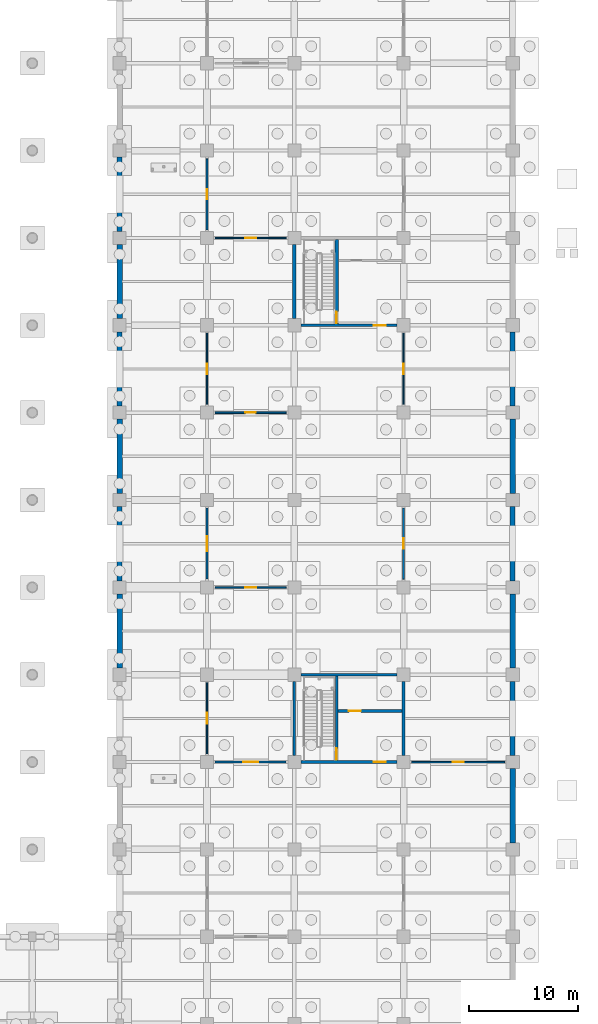
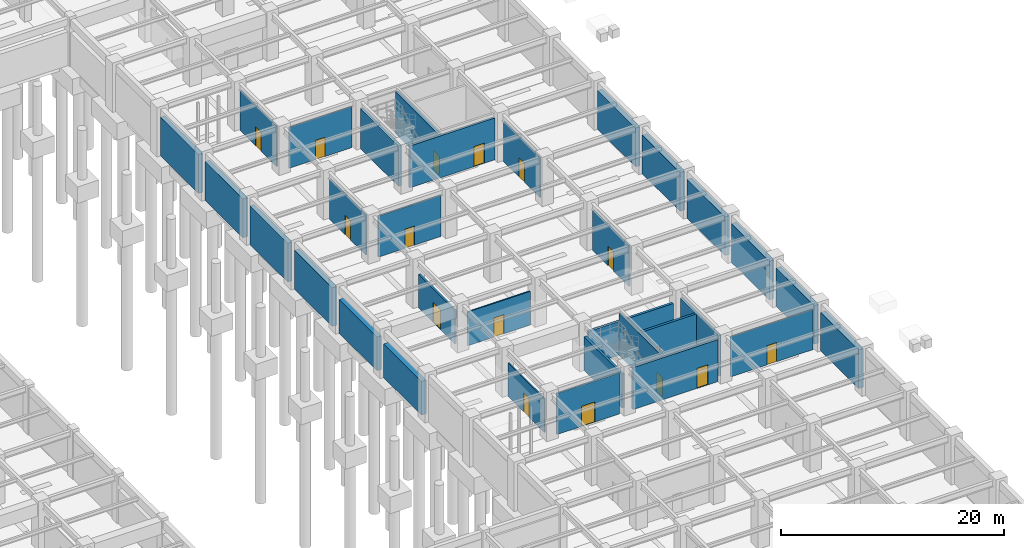
# One storey, part 77 of 97: 32 walls, 16 doors, 16 openings.
"""IFC4 building model written with IfcOpenShell, lengths in metres."""

from ifc_helpers import new_model, si_unit, direction, frame, frame_2d, origin, place, context, subcontext, project, spatial, rectangle, extrude, material, layer, layer_set, type_object, element, fill, save


model = new_model("IFC4")

# Units and contexts
model_context = context("Model", 3, precision=1e-05, world=origin(), true_north=direction((0.0, 1.0)))
body_context = subcontext(model_context, "Body", "Model", "MODEL_VIEW")
ifc_project = project(units=[si_unit("LENGTHUNIT", "METRE"), si_unit("AREAUNIT", "SQUARE_METRE"), si_unit("VOLUMEUNIT", "CUBIC_METRE"), si_unit("PLANEANGLEUNIT", "RADIAN"), si_unit("MASSUNIT", "GRAM", prefix="KILO")], contexts=[model_context])

# Site, building, storey
site_placement = place(None, origin())
site = spatial("IfcSite", under=ifc_project, at=site_placement, CompositionType="ELEMENT")
building_placement = place(site_placement, origin())
building = spatial("IfcBuilding", under=site, at=building_placement, Name="Haebicheon Civic Stadium", CompositionType="ELEMENT")
storey_placement = place(building_placement, frame((0.0, 0.0, -5.39990234375)))
storey = spatial("IfcBuildingStorey", under=building, at=storey_placement, Name="B1", CompositionType="ELEMENT", Elevation=-5.39990234375)

# Wall, opening, door
ifc_material_1 = material(Name="Concrete C40/50", Category="concrete")
ifc_layer_1 = layer(ifc_material_1, 0.239990234375, Name="Concrete C40/50")
ifc_layer_set_1 = layer_set([ifc_layer_1], Name="Concrete C40/50")
wall_type_1 = type_object("IfcWallType", Name="CW-SHR-240", PredefinedType="SHEAR", material=ifc_layer_set_1)
wall_1_placement = place(storey_placement, frame((216.60009765625, 64.0, 0.0), z_axis=(0.0, 0.0, 1.0), x_axis=(1.0, 0.0, 0.0)))
wall_1 = element("IfcWall", 1, at=wall_1_placement, inside=storey, type_object=wall_type_1, material=ifc_layer_set_1, Name="KC-12 B1 south core shear wall", PredefinedType="SHEAR", context=body_context, shape_type="SweptSolid", body=[
    extrude(rectangle(XDim=8.7998046875, YDim=0.239990234375, at=frame_2d((4.39990234375, 0.0))), origin(), (0.0, 0.0, 1.0), 4.58984375),
])
opening_1_placement = place(wall_1_placement, frame((6.64990234375, 0.0, 0.0)))
opening_1 = element("IfcOpeningElement", 2, at=opening_1_placement, cuts=wall_1, Name="Opening D-B1-KC-12-LOB", PredefinedType="OPENING", context=body_context, shape_type="SweptSolid", body=[
    extrude(rectangle(XDim=1.10009765625, YDim=2.199951171875, at=frame_2d((0.550048828125, 1.10009765625))), frame((0.0, 0.1298828125, 0.0), z_axis=(0.0, -1.0, 0.0), x_axis=(1.0, 0.0, 0.0)), (0.0, 0.0, 1.0), 0.260009765625),
])
ifc_material_2 = material(Name="Galvanised painted steel SM355", Category="steel")
door_type_1 = type_object("IfcDoorType", Name="ID-FD-1100", OperationType="NOTDEFINED", PredefinedType="DOOR", material=ifc_material_2)
door_1_placement = place(opening_1_placement, origin())
door_1 = element("IfcDoor", 3, at=door_1_placement, inside=storey, type_object=door_type_1, material=ifc_material_2, Name="B1 KC-12 lobby fire door", OperationType="SINGLE_SWING_RIGHT", OverallHeight=2.199951171875, OverallWidth=1.10009765625, PredefinedType="DOOR", context=body_context, shape_type="SweptSolid", body=[
    extrude(rectangle(XDim=1.10009765625, YDim=2.199951171875, at=frame_2d((0.550048828125, 1.10009765625))), frame((0.0, 0.02490234375, 0.0), z_axis=(0.0, -1.0, 0.0), x_axis=(1.0, 0.0, 0.0)), (0.0, 0.0, 1.0), 0.050048828125),
])
fill(opening_1, door_1)

# Walls
wall_2_placement = place(storey_placement, frame((216.60009765625, 72.0, 0.0), z_axis=(0.0, 0.0, 1.0), x_axis=(1.0, 0.0, 0.0)))
element("IfcWall", 4, at=wall_2_placement, inside=storey, type_object=wall_type_1, material=ifc_layer_set_1, Name="KC-12 B1 north core shear wall", PredefinedType="SHEAR", context=body_context, shape_type="SweptSolid", body=[
    extrude(rectangle(XDim=8.7998046875, YDim=0.239990234375, at=frame_2d((4.39990234375, 0.0))), origin(), (0.0, 0.0, 1.0), 3.68994140625),
])
wall_3_placement = place(storey_placement, frame((216.0, 64.60009765625, 0.0), z_axis=(0.0, 0.0, 1.0), x_axis=(0.0, 1.0, 0.0)))
element("IfcWall", 5, at=wall_3_placement, inside=storey, type_object=wall_type_1, material=ifc_layer_set_1, Name="KC-12 B1 west core shear wall", PredefinedType="SHEAR", context=body_context, shape_type="SweptSolid", body=[
    extrude(rectangle(XDim=6.7998046875, YDim=0.239990234375, at=frame_2d((3.39990234375, 0.0))), origin(), (0.0, 0.0, 1.0), 3.68994140625),
])
wall_4_placement = place(storey_placement, frame((226.0, 64.60009765625, 0.0), z_axis=(0.0, 0.0, 1.0), x_axis=(0.0, 1.0, 0.0)))
element("IfcWall", 6, at=wall_4_placement, inside=storey, type_object=wall_type_1, material=ifc_layer_set_1, Name="KC-12 B1 east core shear wall", PredefinedType="SHEAR", context=body_context, shape_type="SweptSolid", body=[
    extrude(rectangle(XDim=6.7998046875, YDim=0.239990234375, at=frame_2d((3.39990234375, 0.0))), origin(), (0.0, 0.0, 1.0), 4.389892578125),
])

# Wall, opening, door
wall_5_placement = place(storey_placement, frame((219.8798828125, 64.1201171875, 0.0), z_axis=(0.0, 0.0, 1.0), x_axis=(0.0, 1.0, 0.0)))
wall_5 = element("IfcWall", 7, at=wall_5_placement, inside=storey, type_object=wall_type_1, material=ifc_layer_set_1, Name="KC-12 B1 stair-lobby dividing shear wall", PredefinedType="SHEAR", context=body_context, shape_type="SweptSolid", body=[
    extrude(rectangle(XDim=7.759765625, YDim=0.239990234375, at=frame_2d((3.8798828125, 0.0))), origin(), (0.0, 0.0, 1.0), 4.58984375),
])
opening_2_placement = place(wall_5_placement, frame((0.080078125, 0.0, 0.0)))
opening_2 = element("IfcOpeningElement", 8, at=opening_2_placement, cuts=wall_5, Name="Opening D-B1-KC-12-STR", PredefinedType="OPENING", context=body_context, shape_type="SweptSolid", body=[
    extrude(rectangle(XDim=1.050048828125, YDim=2.14990234375, at=frame_2d((0.52490234375, 1.074951171875))), frame((0.0, 0.1298828125, 0.0), z_axis=(0.0, -1.0, 0.0), x_axis=(1.0, 0.0, 0.0)), (0.0, 0.0, 1.0), 0.260009765625),
])
ifc_material_3 = material(Name="Galvanised painted steel SM355", Category="steel")
door_type_2 = type_object("IfcDoorType", Name="ID-FD-1050", OperationType="NOTDEFINED", PredefinedType="DOOR", material=ifc_material_3)
door_2_placement = place(opening_2_placement, origin())
door_2 = element("IfcDoor", 9, at=door_2_placement, inside=storey, type_object=door_type_2, material=ifc_material_3, Name="B1 ST-12 stairwell escape door", OperationType="SINGLE_SWING_LEFT", OverallHeight=2.14990234375, OverallWidth=1.050048828125, PredefinedType="DOOR", context=body_context, shape_type="SweptSolid", body=[
    extrude(rectangle(XDim=1.050048828125, YDim=2.14990234375, at=frame_2d((0.52490234375, 1.074951171875))), frame((0.0, 0.02490234375, 0.0), z_axis=(0.0, -1.0, 0.0), x_axis=(1.0, 0.0, 0.0)), (0.0, 0.0, 1.0), 0.050048828125),
])
fill(opening_2, door_2)

wall_6_placement = place(storey_placement, frame((220.0, 68.679931640625, 0.0), z_axis=(0.0, 0.0, 1.0), x_axis=(1.0, 0.0, 0.0)))
wall_6 = element("IfcWall", 10, at=wall_6_placement, inside=storey, type_object=wall_type_1, material=ifc_layer_set_1, Name="KC-12 B1 lift shaft front wall", PredefinedType="SHEAR", context=body_context, shape_type="SweptSolid", body=[
    extrude(rectangle(XDim=5.8798828125, YDim=0.239990234375, at=frame_2d((2.93994140625, 0.0))), origin(), (0.0, 0.0, 1.0), 4.389892578125),
])
opening_3_placement = place(wall_6_placement, frame((1.0, 0.0, 0.0)))
opening_3 = element("IfcOpeningElement", 11, at=opening_3_placement, cuts=wall_6, Name="Opening LD-09-B1", PredefinedType="OPENING", context=body_context, shape_type="SweptSolid", body=[
    extrude(rectangle(XDim=1.10009765625, YDim=2.14990234375, at=frame_2d((0.550048828125, 1.074951171875))), frame((0.0, 0.1298828125, 0.0), z_axis=(0.0, -1.0, 0.0), x_axis=(1.0, 0.0, 0.0)), (0.0, 0.0, 1.0), 0.260009765625),
])
ifc_material_4 = material(Name="Stainless steel 316", Category="steel")
door_type_3 = type_object("IfcDoorType", Name="ID-LD-1100", OperationType="NOTDEFINED", PredefinedType="DOOR", material=ifc_material_4)
door_3_placement = place(opening_3_placement, origin())
door_3 = element("IfcDoor", 12, at=door_3_placement, inside=storey, type_object=door_type_3, material=ifc_material_4, Name="LF-09 lift landing sliding door B1", OperationType="SLIDING_TO_LEFT", OverallHeight=2.14990234375, OverallWidth=1.10009765625, PredefinedType="DOOR", context=body_context, shape_type="SweptSolid", body=[
    extrude(rectangle(XDim=1.10009765625, YDim=2.14990234375, at=frame_2d((0.550048828125, 1.074951171875))), frame((0.0, 0.02490234375, 0.0), z_axis=(0.0, -1.0, 0.0), x_axis=(1.0, 0.0, 0.0)), (0.0, 0.0, 1.0), 0.050048828125),
])
fill(opening_3, door_3)

wall_7_placement = place(storey_placement, frame((216.60009765625, 104.0, 0.0), z_axis=(0.0, 0.0, 1.0), x_axis=(1.0, 0.0, 0.0)))
wall_7 = element("IfcWall", 13, at=wall_7_placement, inside=storey, type_object=wall_type_1, material=ifc_layer_set_1, Name="KC-13 B1 south core shear wall", PredefinedType="SHEAR", context=body_context, shape_type="SweptSolid", body=[
    extrude(rectangle(XDim=8.7998046875, YDim=0.239990234375, at=frame_2d((4.39990234375, 0.0))), origin(), (0.0, 0.0, 1.0), 4.58984375),
])
opening_4_placement = place(wall_7_placement, frame((6.64990234375, 0.0, 0.0)))
opening_4 = element("IfcOpeningElement", 14, at=opening_4_placement, cuts=wall_7, Name="Opening D-B1-KC-13-LOB", PredefinedType="OPENING", context=body_context, shape_type="SweptSolid", body=[
    extrude(rectangle(XDim=1.10009765625, YDim=2.199951171875, at=frame_2d((0.550048828125, 1.10009765625))), frame((0.0, 0.1298828125, 0.0), z_axis=(0.0, -1.0, 0.0), x_axis=(1.0, 0.0, 0.0)), (0.0, 0.0, 1.0), 0.260009765625),
])
door_4_placement = place(opening_4_placement, origin())
door_4 = element("IfcDoor", 15, at=door_4_placement, inside=storey, type_object=door_type_1, material=ifc_material_2, Name="B1 KC-13 lobby fire door", OperationType="SINGLE_SWING_LEFT", OverallHeight=2.199951171875, OverallWidth=1.10009765625, PredefinedType="DOOR", context=body_context, shape_type="SweptSolid", body=[
    extrude(rectangle(XDim=1.10009765625, YDim=2.199951171875, at=frame_2d((0.550048828125, 1.10009765625))), frame((0.0, 0.02490234375, 0.0), z_axis=(0.0, -1.0, 0.0), x_axis=(1.0, 0.0, 0.0)), (0.0, 0.0, 1.0), 0.050048828125),
])
fill(opening_4, door_4)

# Wall
ifc_material_5 = material(Name="Concrete C40/50", Category="concrete")
ifc_layer_2 = layer(ifc_material_5, 0.300048828125, Name="Concrete C40/50")
ifc_layer_set_2 = layer_set([ifc_layer_2], Name="Concrete C40/50")
wall_type_2 = type_object("IfcWallType", Name="CW-SHR-300", PredefinedType="SHEAR", material=ifc_layer_set_2)
wall_8_placement = place(storey_placement, frame((216.0, 104.60009765625, 0.0), z_axis=(0.0, 0.0, 1.0), x_axis=(0.0, 1.0, 0.0)))
element("IfcWall", 16, at=wall_8_placement, inside=storey, type_object=wall_type_2, material=ifc_layer_set_2, Name="KC-13 B1 west core shear wall", PredefinedType="SHEAR", context=body_context, shape_type="SweptSolid", body=[
    extrude(rectangle(XDim=6.7998046875, YDim=0.300048828125, at=frame_2d((3.39990234375, 0.0))), origin(), (0.0, 0.0, 1.0), 4.389892578125),
])

# Wall, opening, door
wall_9_placement = place(storey_placement, frame((219.8798828125, 104.1201171875, 0.0), z_axis=(0.0, 0.0, 1.0), x_axis=(0.0, 1.0, 0.0)))
wall_9 = element("IfcWall", 17, at=wall_9_placement, inside=storey, type_object=wall_type_2, material=ifc_layer_set_2, Name="KC-13 B1 stair-lobby dividing shear wall", PredefinedType="SHEAR", context=body_context, shape_type="SweptSolid", body=[
    extrude(rectangle(XDim=7.759765625, YDim=0.300048828125, at=frame_2d((3.8798828125, 0.0))), origin(), (0.0, 0.0, 1.0), 4.58984375),
])
opening_5_placement = place(wall_9_placement, frame((0.080078125, 0.0, 0.0)))
opening_5 = element("IfcOpeningElement", 18, at=opening_5_placement, cuts=wall_9, Name="Opening D-B1-KC-13-STR", PredefinedType="OPENING", context=body_context, shape_type="SweptSolid", body=[
    extrude(rectangle(XDim=1.050048828125, YDim=2.14990234375, at=frame_2d((0.52490234375, 1.074951171875))), frame((0.0, 0.159912109375, 0.0), z_axis=(0.0, -1.0, 0.0), x_axis=(1.0, 0.0, 0.0)), (0.0, 0.0, 1.0), 0.320068359375),
])
door_5_placement = place(opening_5_placement, origin())
door_5 = element("IfcDoor", 19, at=door_5_placement, inside=storey, type_object=door_type_2, material=ifc_material_3, Name="B1 ST-13 stairwell escape door", OperationType="SINGLE_SWING_RIGHT", OverallHeight=2.14990234375, OverallWidth=1.050048828125, PredefinedType="DOOR", context=body_context, shape_type="SweptSolid", body=[
    extrude(rectangle(XDim=1.050048828125, YDim=2.14990234375, at=frame_2d((0.52490234375, 1.074951171875))), frame((0.0, 0.02490234375, 0.0), z_axis=(0.0, -1.0, 0.0), x_axis=(1.0, 0.0, 0.0)), (0.0, 0.0, 1.0), 0.050048828125),
])
fill(opening_5, door_5)

# Walls
ifc_material_6 = material(Name="Concrete C40/50", Category="concrete")
ifc_layer_3 = layer(ifc_material_6, 0.4599609375, Name="Concrete C40/50")
ifc_layer_set_3 = layer_set([ifc_layer_3], Name="Concrete C40/50")
wall_type_3 = type_object("IfcWallType", Name="EW-RET-460", PredefinedType="STANDARD", material=ifc_layer_set_3)
wall_10_placement = place(storey_placement, frame((200.0, 80.60009765625, 0.0), z_axis=(0.0, 0.0, 1.0), x_axis=(0.0, 1.0, 0.0)))
element("IfcWall", 20, at=wall_10_placement, inside=storey, type_object=wall_type_3, material=ifc_layer_set_3, Name="B1 retaining wall 25-10-W", PredefinedType="STANDARD", context=body_context, shape_type="SweptSolid", body=[
    extrude(rectangle(XDim=6.7998046875, YDim=0.4599609375, at=frame_2d((3.39990234375, 0.0))), origin(), (0.0, 0.0, 1.0), 3.68994140625),
])
for number, where, z_axis, x_axis, name in (
    (21, (200.0, 96.60009765625, 0.0), (0.0, 0.0, 1.0), (0.0, 1.0, 0.0), "B1 retaining wall 25-12-W"),
    (22, (200.0, 112.60009765625, 0.0), (0.0, 0.0, 1.0), (0.0, 1.0, 0.0), "B1 retaining wall 25-14-W"),
    (23, (236.0, 64.60009765625, 0.0), (0.0, 0.0, 1.0), (0.0, 1.0, 0.0), "B1 retaining wall 29-08-E"),
    (24, (236.0, 80.60009765625, 0.0), (0.0, 0.0, 1.0), (0.0, 1.0, 0.0), "B1 retaining wall 29-10-E"),
    (25, (236.0, 96.60009765625, 0.0), (0.0, 0.0, 1.0), (0.0, 1.0, 0.0), "B1 retaining wall 29-12-E"),
):
    element("IfcWall", number, at=place(storey_placement, frame(where, z_axis=z_axis, x_axis=x_axis)), inside=storey, type_object=wall_type_3, material=ifc_layer_set_3, Name=name, PredefinedType="STANDARD", context=body_context, shape_type="SweptSolid", body=[
        extrude(rectangle(XDim=6.7998046875, YDim=0.4599609375, at=frame_2d((3.39990234375, 0.0))), origin(), (0.0, 0.0, 1.0), 4.239990234375),
    ])
ifc_material_7 = material(Name="Concrete C40/50", Category="concrete")
ifc_layer_4 = layer(ifc_material_7, 0.5, Name="Concrete C40/50")
ifc_layer_set_4 = layer_set([ifc_layer_4], Name="Concrete C40/50")
wall_type_4 = type_object("IfcWallType", Name="EW-RET-500", PredefinedType="STANDARD", material=ifc_layer_set_4)
wall_11_placement = place(storey_placement, frame((200.0, 72.60009765625, 0.0), z_axis=(0.0, 0.0, 1.0), x_axis=(0.0, 1.0, 0.0)))
element("IfcWall", 26, at=wall_11_placement, inside=storey, type_object=wall_type_4, material=ifc_layer_set_4, Name="B1 retaining wall 25-09-W", PredefinedType="STANDARD", context=body_context, shape_type="SweptSolid", body=[
    extrude(rectangle(XDim=6.7998046875, YDim=0.5, at=frame_2d((3.39990234375, 0.0))), origin(), (0.0, 0.0, 1.0), 3.68994140625),
])
for number, where, z_axis, x_axis, name in (
    (27, (200.0, 88.60009765625, 0.0), (0.0, 0.0, 1.0), (0.0, 1.0, 0.0), "B1 retaining wall 25-11-W"),
    (28, (200.0, 104.60009765625, 0.0), (0.0, 0.0, 1.0), (0.0, 1.0, 0.0), "B1 retaining wall 25-13-W"),
    (29, (236.0, 56.60009765625, 0.0), (0.0, 0.0, 1.0), (0.0, 1.0, 0.0), "B1 retaining wall 29-07-E"),
    (30, (236.0, 72.60009765625, 0.0), (0.0, 0.0, 1.0), (0.0, 1.0, 0.0), "B1 retaining wall 29-09-E"),
    (31, (236.0, 88.60009765625, 0.0), (0.0, 0.0, 1.0), (0.0, 1.0, 0.0), "B1 retaining wall 29-11-E"),
):
    element("IfcWall", number, at=place(storey_placement, frame(where, z_axis=z_axis, x_axis=x_axis)), inside=storey, type_object=wall_type_4, material=ifc_layer_set_4, Name=name, PredefinedType="STANDARD", context=body_context, shape_type="SweptSolid", body=[
        extrude(rectangle(XDim=6.7998046875, YDim=0.5, at=frame_2d((3.39990234375, 0.0))), origin(), (0.0, 0.0, 1.0), 4.239990234375),
    ])

# Wall, opening, door
ifc_material_8 = material(Name="Gypsum plasterboard on steel studs", Category="gypsum")
ifc_layer_5 = layer(ifc_material_8, 0.1201171875, Name="Gypsum plasterboard on steel studs")
ifc_layer_set_5 = layer_set([ifc_layer_5], Name="Gypsum plasterboard on steel studs")
wall_type_5 = type_object("IfcWallType", Name="IW-PRT-120", PredefinedType="PARTITIONING", material=ifc_layer_set_5)
wall_12_placement = place(storey_placement, frame((208.0, 64.75, 0.0), z_axis=(0.0, 0.0, 1.0), x_axis=(0.0, 1.0, 0.0)))
wall_12 = element("IfcWall", 32, at=wall_12_placement, inside=storey, type_object=wall_type_5, material=ifc_layer_set_5, Name="B1 Youth Coaching Briefing Room partition wall", PredefinedType="PARTITIONING", context=body_context, shape_type="SweptSolid", body=[
    extrude(rectangle(XDim=6.5, YDim=0.1201171875, at=frame_2d((3.25, 0.0))), origin(), (0.0, 0.0, 1.0), 3.68994140625),
])
opening_6_placement = place(wall_12_placement, frame((2.75, 0.0, 0.0)))
opening_6 = element("IfcOpeningElement", 33, at=opening_6_placement, cuts=wall_12, Name="Opening D-B1-046", PredefinedType="OPENING", context=body_context, shape_type="SweptSolid", body=[
    extrude(rectangle(XDim=1.0, YDim=2.10009765625, at=frame_2d((0.5, 1.050048828125))), frame((0.0, 0.070068359375, 0.0), z_axis=(0.0, -1.0, 0.0), x_axis=(1.0, 0.0, 0.0)), (0.0, 0.0, 1.0), 0.14013671875),
])
ifc_material_9 = material(Name="Engineered hardwood timber", Category="wood")
door_type_4 = type_object("IfcDoorType", Name="ID-RM-1000", OperationType="NOTDEFINED", PredefinedType="DOOR", material=ifc_material_9)
door_6_placement = place(opening_6_placement, origin())
door_6 = element("IfcDoor", 34, at=door_6_placement, inside=storey, type_object=door_type_4, material=ifc_material_9, Name="B1 Youth Coaching Briefing Room entrance door D-B1-046", OperationType="SINGLE_SWING_RIGHT", OverallHeight=2.10009765625, OverallWidth=1.0, PredefinedType="DOOR", context=body_context, shape_type="SweptSolid", body=[
    extrude(rectangle(XDim=1.0, YDim=2.10009765625, at=frame_2d((0.5, 1.050048828125))), frame((0.0, 0.02490234375, 0.0), z_axis=(0.0, -1.0, 0.0), x_axis=(1.0, 0.0, 0.0)), (0.0, 0.0, 1.0), 0.050048828125),
])
fill(opening_6, door_6)

wall_13_placement = place(storey_placement, frame((208.75, 112.0, 0.0), z_axis=(0.0, 0.0, 1.0), x_axis=(1.0, 0.0, 0.0)))
wall_13 = element("IfcWall", 35, at=wall_13_placement, inside=storey, type_object=wall_type_5, material=ifc_layer_set_5, Name="B1 Youth Coaching Briefing Room partition wall", PredefinedType="PARTITIONING", context=body_context, shape_type="SweptSolid", body=[
    extrude(rectangle(XDim=6.5, YDim=0.1201171875, at=frame_2d((3.25, 0.0))), origin(), (0.0, 0.0, 1.0), 4.489990234375),
])
opening_7_placement = place(wall_13_placement, frame((2.75, 0.0, 0.0)))
opening_7 = element("IfcOpeningElement", 36, at=opening_7_placement, cuts=wall_13, Name="Opening D-B1-058", PredefinedType="OPENING", context=body_context, shape_type="SweptSolid", body=[
    extrude(rectangle(XDim=1.0, YDim=2.10009765625, at=frame_2d((0.5, 1.050048828125))), frame((0.0, 0.070068359375, 0.0), z_axis=(0.0, -1.0, 0.0), x_axis=(1.0, 0.0, 0.0)), (0.0, 0.0, 1.0), 0.14013671875),
])
door_7_placement = place(opening_7_placement, origin())
door_7 = element("IfcDoor", 37, at=door_7_placement, inside=storey, type_object=door_type_4, material=ifc_material_9, Name="B1 Youth Coaching Briefing Room entrance door D-B1-058", OperationType="SINGLE_SWING_RIGHT", OverallHeight=2.10009765625, OverallWidth=1.0, PredefinedType="DOOR", context=body_context, shape_type="SweptSolid", body=[
    extrude(rectangle(XDim=1.0, YDim=2.10009765625, at=frame_2d((0.5, 1.050048828125))), frame((0.0, 0.02490234375, 0.0), z_axis=(0.0, -1.0, 0.0), x_axis=(1.0, 0.0, 0.0)), (0.0, 0.0, 1.0), 0.050048828125),
])
fill(opening_7, door_7)

wall_14_placement = place(storey_placement, frame((226.0, 96.75, 0.0), z_axis=(0.0, 0.0, 1.0), x_axis=(0.0, 1.0, 0.0)))
wall_14 = element("IfcWall", 38, at=wall_14_placement, inside=storey, type_object=wall_type_5, material=ifc_layer_set_5, Name="B1 Youth Coaching Briefing Room partition wall", PredefinedType="PARTITIONING", context=body_context, shape_type="SweptSolid", body=[
    extrude(rectangle(XDim=6.5, YDim=0.1201171875, at=frame_2d((3.25, 0.0))), origin(), (0.0, 0.0, 1.0), 4.389892578125),
])
opening_8_placement = place(wall_14_placement, frame((2.75, 0.0, 0.0)))
opening_8 = element("IfcOpeningElement", 39, at=opening_8_placement, cuts=wall_14, Name="Opening D-B1-066", PredefinedType="OPENING", context=body_context, shape_type="SweptSolid", body=[
    extrude(rectangle(XDim=1.0, YDim=2.10009765625, at=frame_2d((0.5, 1.050048828125))), frame((0.0, 0.070068359375, 0.0), z_axis=(0.0, -1.0, 0.0), x_axis=(1.0, 0.0, 0.0)), (0.0, 0.0, 1.0), 0.14013671875),
])
door_8_placement = place(opening_8_placement, origin())
door_8 = element("IfcDoor", 40, at=door_8_placement, inside=storey, type_object=door_type_4, material=ifc_material_9, Name="B1 Youth Coaching Briefing Room entrance door D-B1-066", OperationType="SINGLE_SWING_RIGHT", OverallHeight=2.10009765625, OverallWidth=1.0, PredefinedType="DOOR", context=body_context, shape_type="SweptSolid", body=[
    extrude(rectangle(XDim=1.0, YDim=2.10009765625, at=frame_2d((0.5, 1.050048828125))), frame((0.0, 0.02490234375, 0.0), z_axis=(0.0, -1.0, 0.0), x_axis=(1.0, 0.0, 0.0)), (0.0, 0.0, 1.0), 0.050048828125),
])
fill(opening_8, door_8)

ifc_material_10 = material(Name="Gypsum plasterboard on steel studs", Category="gypsum")
ifc_layer_6 = layer(ifc_material_10, 0.1298828125, Name="Gypsum plasterboard on steel studs")
ifc_layer_set_6 = layer_set([ifc_layer_6], Name="Gypsum plasterboard on steel studs")
wall_type_6 = type_object("IfcWallType", Name="IW-PRT-130", PredefinedType="PARTITIONING", material=ifc_layer_set_6)
wall_15_placement = place(storey_placement, frame((208.0, 96.75, 0.0), z_axis=(0.0, 0.0, 1.0), x_axis=(0.0, 1.0, 0.0)))
wall_15 = element("IfcWall", 41, at=wall_15_placement, inside=storey, type_object=wall_type_6, material=ifc_layer_set_6, Name="B1 Community Team Changing Room partition wall", PredefinedType="PARTITIONING", context=body_context, shape_type="SweptSolid", body=[
    extrude(rectangle(XDim=6.5, YDim=0.1298828125, at=frame_2d((3.25, 0.0))), origin(), (0.0, 0.0, 1.0), 4.389892578125),
])
opening_9_placement = place(wall_15_placement, frame((2.75, 0.0, 0.0)))
opening_9 = element("IfcOpeningElement", 42, at=opening_9_placement, cuts=wall_15, Name="Opening D-B1-048", PredefinedType="OPENING", context=body_context, shape_type="SweptSolid", body=[
    extrude(rectangle(XDim=1.0, YDim=2.10009765625, at=frame_2d((0.5, 1.050048828125))), frame((0.0, 0.074951171875, 0.0), z_axis=(0.0, -1.0, 0.0), x_axis=(1.0, 0.0, 0.0)), (0.0, 0.0, 1.0), 0.14990234375),
])
door_9_placement = place(opening_9_placement, origin())
door_9 = element("IfcDoor", 43, at=door_9_placement, inside=storey, type_object=door_type_4, material=ifc_material_9, Name="B1 Community Team Changing Room entrance door D-B1-048", OperationType="SINGLE_SWING_RIGHT", OverallHeight=2.10009765625, OverallWidth=1.0, PredefinedType="DOOR", context=body_context, shape_type="SweptSolid", body=[
    extrude(rectangle(XDim=1.0, YDim=2.10009765625, at=frame_2d((0.5, 1.050048828125))), frame((0.0, 0.02490234375, 0.0), z_axis=(0.0, -1.0, 0.0), x_axis=(1.0, 0.0, 0.0)), (0.0, 0.0, 1.0), 0.050048828125),
])
fill(opening_9, door_9)

wall_16_placement = place(storey_placement, frame((208.75, 80.0, 0.0), z_axis=(0.0, 0.0, 1.0), x_axis=(1.0, 0.0, 0.0)))
wall_16 = element("IfcWall", 44, at=wall_16_placement, inside=storey, type_object=wall_type_6, material=ifc_layer_set_6, Name="B1 Community Team Changing Room partition wall", PredefinedType="PARTITIONING", context=body_context, shape_type="SweptSolid", body=[
    extrude(rectangle(XDim=6.5, YDim=0.1298828125, at=frame_2d((3.25, 0.0))), origin(), (0.0, 0.0, 1.0), 3.68994140625),
])
opening_10_placement = place(wall_16_placement, frame((2.75, 0.0, 0.0)))
opening_10 = element("IfcOpeningElement", 45, at=opening_10_placement, cuts=wall_16, Name="Opening D-B1-056", PredefinedType="OPENING", context=body_context, shape_type="SweptSolid", body=[
    extrude(rectangle(XDim=1.0, YDim=2.10009765625, at=frame_2d((0.5, 1.050048828125))), frame((0.0, 0.074951171875, 0.0), z_axis=(0.0, -1.0, 0.0), x_axis=(1.0, 0.0, 0.0)), (0.0, 0.0, 1.0), 0.14990234375),
])
door_10_placement = place(opening_10_placement, origin())
door_10 = element("IfcDoor", 46, at=door_10_placement, inside=storey, type_object=door_type_4, material=ifc_material_9, Name="B1 Community Team Changing Room entrance door D-B1-056", OperationType="SINGLE_SWING_RIGHT", OverallHeight=2.10009765625, OverallWidth=1.0, PredefinedType="DOOR", context=body_context, shape_type="SweptSolid", body=[
    extrude(rectangle(XDim=1.0, YDim=2.10009765625, at=frame_2d((0.5, 1.050048828125))), frame((0.0, 0.02490234375, 0.0), z_axis=(0.0, -1.0, 0.0), x_axis=(1.0, 0.0, 0.0)), (0.0, 0.0, 1.0), 0.050048828125),
])
fill(opening_10, door_10)

wall_17_placement = place(storey_placement, frame((226.75, 64.0, 0.0), z_axis=(0.0, 0.0, 1.0), x_axis=(1.0, 0.0, 0.0)))
wall_17 = element("IfcWall", 47, at=wall_17_placement, inside=storey, type_object=wall_type_6, material=ifc_layer_set_6, Name="B1 Community Team Changing Room partition wall", PredefinedType="PARTITIONING", context=body_context, shape_type="SweptSolid", body=[
    extrude(rectangle(XDim=8.5, YDim=0.1298828125, at=frame_2d((4.25, 0.0))), origin(), (0.0, 0.0, 1.0), 4.389892578125),
])
opening_11_placement = place(wall_17_placement, frame((3.75, 0.0, 0.0)))
opening_11 = element("IfcOpeningElement", 48, at=opening_11_placement, cuts=wall_17, Name="Opening D-B1-064", PredefinedType="OPENING", context=body_context, shape_type="SweptSolid", body=[
    extrude(rectangle(XDim=1.0, YDim=2.10009765625, at=frame_2d((0.5, 1.050048828125))), frame((0.0, 0.074951171875, 0.0), z_axis=(0.0, -1.0, 0.0), x_axis=(1.0, 0.0, 0.0)), (0.0, 0.0, 1.0), 0.14990234375),
])
door_11_placement = place(opening_11_placement, origin())
door_11 = element("IfcDoor", 49, at=door_11_placement, inside=storey, type_object=door_type_4, material=ifc_material_9, Name="B1 Community Team Changing Room entrance door D-B1-064", OperationType="SINGLE_SWING_RIGHT", OverallHeight=2.10009765625, OverallWidth=1.0, PredefinedType="DOOR", context=body_context, shape_type="SweptSolid", body=[
    extrude(rectangle(XDim=1.0, YDim=2.10009765625, at=frame_2d((0.5, 1.050048828125))), frame((0.0, 0.02490234375, 0.0), z_axis=(0.0, -1.0, 0.0), x_axis=(1.0, 0.0, 0.0)), (0.0, 0.0, 1.0), 0.050048828125),
])
fill(opening_11, door_11)

ifc_material_11 = material(Name="Concrete C35/45", Category="concrete")
ifc_layer_7 = layer(ifc_material_11, 0.159912109375, Name="Concrete C35/45")
ifc_layer_set_7 = layer_set([ifc_layer_7], Name="Concrete C35/45")
wall_type_7 = type_object("IfcWallType", Name="IW-PRT-160", PredefinedType="PARTITIONING", material=ifc_layer_set_7)
wall_18_placement = place(storey_placement, frame((208.0, 112.75, 0.0), z_axis=(0.0, 0.0, 1.0), x_axis=(0.0, 1.0, 0.0)))
wall_18 = element("IfcWall", 50, at=wall_18_placement, inside=storey, type_object=wall_type_7, material=ifc_layer_set_7, Name="B1 Athletics Track Equipment Store partition wall", PredefinedType="PARTITIONING", context=body_context, shape_type="SweptSolid", body=[
    extrude(rectangle(XDim=6.5, YDim=0.159912109375, at=frame_2d((3.25, 0.0))), origin(), (0.0, 0.0, 1.0), 4.389892578125),
])
opening_12_placement = place(wall_18_placement, frame((2.77490234375, 0.0, 0.0)))
opening_12 = element("IfcOpeningElement", 51, at=opening_12_placement, cuts=wall_18, Name="Opening D-B1-049", PredefinedType="OPENING", context=body_context, shape_type="SweptSolid", body=[
    extrude(rectangle(XDim=0.949951171875, YDim=2.10009765625, at=frame_2d((0.47509765625, 1.050048828125))), frame((0.0, 0.08984375, 0.0), z_axis=(0.0, -1.0, 0.0), x_axis=(1.0, 0.0, 0.0)), (0.0, 0.0, 1.0), 0.179931640625),
])
ifc_material_12 = material(Name="Engineered hardwood timber", Category="wood")
door_type_5 = type_object("IfcDoorType", Name="ID-RM-0950", OperationType="NOTDEFINED", PredefinedType="DOOR", material=ifc_material_12)
door_12_placement = place(opening_12_placement, origin())
door_12 = element("IfcDoor", 52, at=door_12_placement, inside=storey, type_object=door_type_5, material=ifc_material_12, Name="B1 Athletics Track Equipment Store entrance door D-B1-049", OperationType="SINGLE_SWING_LEFT", OverallHeight=2.10009765625, OverallWidth=0.949951171875, PredefinedType="DOOR", context=body_context, shape_type="SweptSolid", body=[
    extrude(rectangle(XDim=0.949951171875, YDim=2.10009765625, at=frame_2d((0.47509765625, 1.050048828125))), frame((0.0, 0.02490234375, 0.0), z_axis=(0.0, -1.0, 0.0), x_axis=(1.0, 0.0, 0.0)), (0.0, 0.0, 1.0), 0.050048828125),
])
fill(opening_12, door_12)

wall_19_placement = place(storey_placement, frame((208.75, 96.0, 0.0), z_axis=(0.0, 0.0, 1.0), x_axis=(1.0, 0.0, 0.0)))
wall_19 = element("IfcWall", 53, at=wall_19_placement, inside=storey, type_object=wall_type_7, material=ifc_layer_set_7, Name="B1 Athletics Track Equipment Store partition wall", PredefinedType="PARTITIONING", context=body_context, shape_type="SweptSolid", body=[
    extrude(rectangle(XDim=6.5, YDim=0.159912109375, at=frame_2d((3.25, 0.0))), origin(), (0.0, 0.0, 1.0), 4.489990234375),
])
opening_13_placement = place(wall_19_placement, frame((2.77490234375, 0.0, 0.0)))
opening_13 = element("IfcOpeningElement", 54, at=opening_13_placement, cuts=wall_19, Name="Opening D-B1-057", PredefinedType="OPENING", context=body_context, shape_type="SweptSolid", body=[
    extrude(rectangle(XDim=0.949951171875, YDim=2.10009765625, at=frame_2d((0.47509765625, 1.050048828125))), frame((0.0, 0.08984375, 0.0), z_axis=(0.0, -1.0, 0.0), x_axis=(1.0, 0.0, 0.0)), (0.0, 0.0, 1.0), 0.179931640625),
])
door_13_placement = place(opening_13_placement, origin())
door_13 = element("IfcDoor", 55, at=door_13_placement, inside=storey, type_object=door_type_5, material=ifc_material_12, Name="B1 Athletics Track Equipment Store entrance door D-B1-057", OperationType="SINGLE_SWING_LEFT", OverallHeight=2.10009765625, OverallWidth=0.949951171875, PredefinedType="DOOR", context=body_context, shape_type="SweptSolid", body=[
    extrude(rectangle(XDim=0.949951171875, YDim=2.10009765625, at=frame_2d((0.47509765625, 1.050048828125))), frame((0.0, 0.02490234375, 0.0), z_axis=(0.0, -1.0, 0.0), x_axis=(1.0, 0.0, 0.0)), (0.0, 0.0, 1.0), 0.050048828125),
])
fill(opening_13, door_13)

wall_20_placement = place(storey_placement, frame((226.0, 80.75, 0.0), z_axis=(0.0, 0.0, 1.0), x_axis=(0.0, 1.0, 0.0)))
wall_20 = element("IfcWall", 56, at=wall_20_placement, inside=storey, type_object=wall_type_7, material=ifc_layer_set_7, Name="B1 Athletics Track Equipment Store partition wall", PredefinedType="PARTITIONING", context=body_context, shape_type="SweptSolid", body=[
    extrude(rectangle(XDim=6.5, YDim=0.159912109375, at=frame_2d((3.25, 0.0))), origin(), (0.0, 0.0, 1.0), 4.389892578125),
])
opening_14_placement = place(wall_20_placement, frame((2.77490234375, 0.0, 0.0)))
opening_14 = element("IfcOpeningElement", 57, at=opening_14_placement, cuts=wall_20, Name="Opening D-B1-065", PredefinedType="OPENING", context=body_context, shape_type="SweptSolid", body=[
    extrude(rectangle(XDim=0.949951171875, YDim=2.10009765625, at=frame_2d((0.47509765625, 1.050048828125))), frame((0.0, 0.08984375, 0.0), z_axis=(0.0, -1.0, 0.0), x_axis=(1.0, 0.0, 0.0)), (0.0, 0.0, 1.0), 0.179931640625),
])
door_14_placement = place(opening_14_placement, origin())
door_14 = element("IfcDoor", 58, at=door_14_placement, inside=storey, type_object=door_type_5, material=ifc_material_12, Name="B1 Athletics Track Equipment Store entrance door D-B1-065", OperationType="SINGLE_SWING_LEFT", OverallHeight=2.10009765625, OverallWidth=0.949951171875, PredefinedType="DOOR", context=body_context, shape_type="SweptSolid", body=[
    extrude(rectangle(XDim=0.949951171875, YDim=2.10009765625, at=frame_2d((0.47509765625, 1.050048828125))), frame((0.0, 0.02490234375, 0.0), z_axis=(0.0, -1.0, 0.0), x_axis=(1.0, 0.0, 0.0)), (0.0, 0.0, 1.0), 0.050048828125),
])
fill(opening_14, door_14)

ifc_material_13 = material(Name="Concrete C35/45", Category="concrete")
ifc_layer_8 = layer(ifc_material_13, 0.179931640625, Name="Concrete C35/45")
ifc_layer_set_8 = layer_set([ifc_layer_8], Name="Concrete C35/45")
wall_type_8 = type_object("IfcWallType", Name="IW-PRT-180", PredefinedType="PARTITIONING", material=ifc_layer_set_8)
wall_21_placement = place(storey_placement, frame((208.0, 80.75, 0.0), z_axis=(0.0, 0.0, 1.0), x_axis=(0.0, 1.0, 0.0)))
wall_21 = element("IfcWall", 59, at=wall_21_placement, inside=storey, type_object=wall_type_8, material=ifc_layer_set_8, Name="B1 District Heating Exchange Plant partition wall", PredefinedType="PARTITIONING", context=body_context, shape_type="SweptSolid", body=[
    extrude(rectangle(XDim=6.5, YDim=0.179931640625, at=frame_2d((3.25, 0.0))), origin(), (0.0, 0.0, 1.0), 3.68994140625),
])
opening_15_placement = place(wall_21_placement, frame((2.550048828125, 0.0, 0.0)))
opening_15 = element("IfcOpeningElement", 60, at=opening_15_placement, cuts=wall_21, Name="Opening D-B1-047", PredefinedType="OPENING", context=body_context, shape_type="SweptSolid", body=[
    extrude(rectangle(XDim=1.39990234375, YDim=2.199951171875, at=frame_2d((0.699951171875, 1.10009765625))), frame((0.0, 0.099853515625, 0.0), z_axis=(0.0, -1.0, 0.0), x_axis=(1.0, 0.0, 0.0)), (0.0, 0.0, 1.0), 0.199951171875),
])
ifc_material_14 = material(Name="Galvanised painted steel SM355", Category="steel")
door_type_6 = type_object("IfcDoorType", Name="ID-PLT-1400", OperationType="NOTDEFINED", PredefinedType="DOOR", material=ifc_material_14)
door_15_placement = place(opening_15_placement, origin())
door_15 = element("IfcDoor", 61, at=door_15_placement, inside=storey, type_object=door_type_6, material=ifc_material_14, Name="B1 District Heating Exchange Plant entrance door D-B1-047", OperationType="SINGLE_SWING_LEFT", OverallHeight=2.199951171875, OverallWidth=1.39990234375, PredefinedType="DOOR", context=body_context, shape_type="SweptSolid", body=[
    extrude(rectangle(XDim=1.39990234375, YDim=2.199951171875, at=frame_2d((0.699951171875, 1.10009765625))), frame((0.0, 0.02490234375, 0.0), z_axis=(0.0, -1.0, 0.0), x_axis=(1.0, 0.0, 0.0)), (0.0, 0.0, 1.0), 0.050048828125),
])
fill(opening_15, door_15)

wall_22_placement = place(storey_placement, frame((208.75, 64.0, 0.0), z_axis=(0.0, 0.0, 1.0), x_axis=(1.0, 0.0, 0.0)))
wall_22 = element("IfcWall", 62, at=wall_22_placement, inside=storey, type_object=wall_type_8, material=ifc_layer_set_8, Name="B1 District Heating Exchange Plant partition wall", PredefinedType="PARTITIONING", context=body_context, shape_type="SweptSolid", body=[
    extrude(rectangle(XDim=6.5, YDim=0.179931640625, at=frame_2d((3.25, 0.0))), origin(), (0.0, 0.0, 1.0), 4.489990234375),
])
opening_16_placement = place(wall_22_placement, frame((2.550048828125, 0.0, 0.0)))
opening_16 = element("IfcOpeningElement", 63, at=opening_16_placement, cuts=wall_22, Name="Opening D-B1-055", PredefinedType="OPENING", context=body_context, shape_type="SweptSolid", body=[
    extrude(rectangle(XDim=1.39990234375, YDim=2.199951171875, at=frame_2d((0.699951171875, 1.10009765625))), frame((0.0, 0.099853515625, 0.0), z_axis=(0.0, -1.0, 0.0), x_axis=(1.0, 0.0, 0.0)), (0.0, 0.0, 1.0), 0.199951171875),
])
door_16_placement = place(opening_16_placement, origin())
door_16 = element("IfcDoor", 64, at=door_16_placement, inside=storey, type_object=door_type_6, material=ifc_material_14, Name="B1 District Heating Exchange Plant entrance door D-B1-055", OperationType="SINGLE_SWING_LEFT", OverallHeight=2.199951171875, OverallWidth=1.39990234375, PredefinedType="DOOR", context=body_context, shape_type="SweptSolid", body=[
    extrude(rectangle(XDim=1.39990234375, YDim=2.199951171875, at=frame_2d((0.699951171875, 1.10009765625))), frame((0.0, 0.02490234375, 0.0), z_axis=(0.0, -1.0, 0.0), x_axis=(1.0, 0.0, 0.0)), (0.0, 0.0, 1.0), 0.050048828125),
])
fill(opening_16, door_16)

save(model, "model.ifc")
